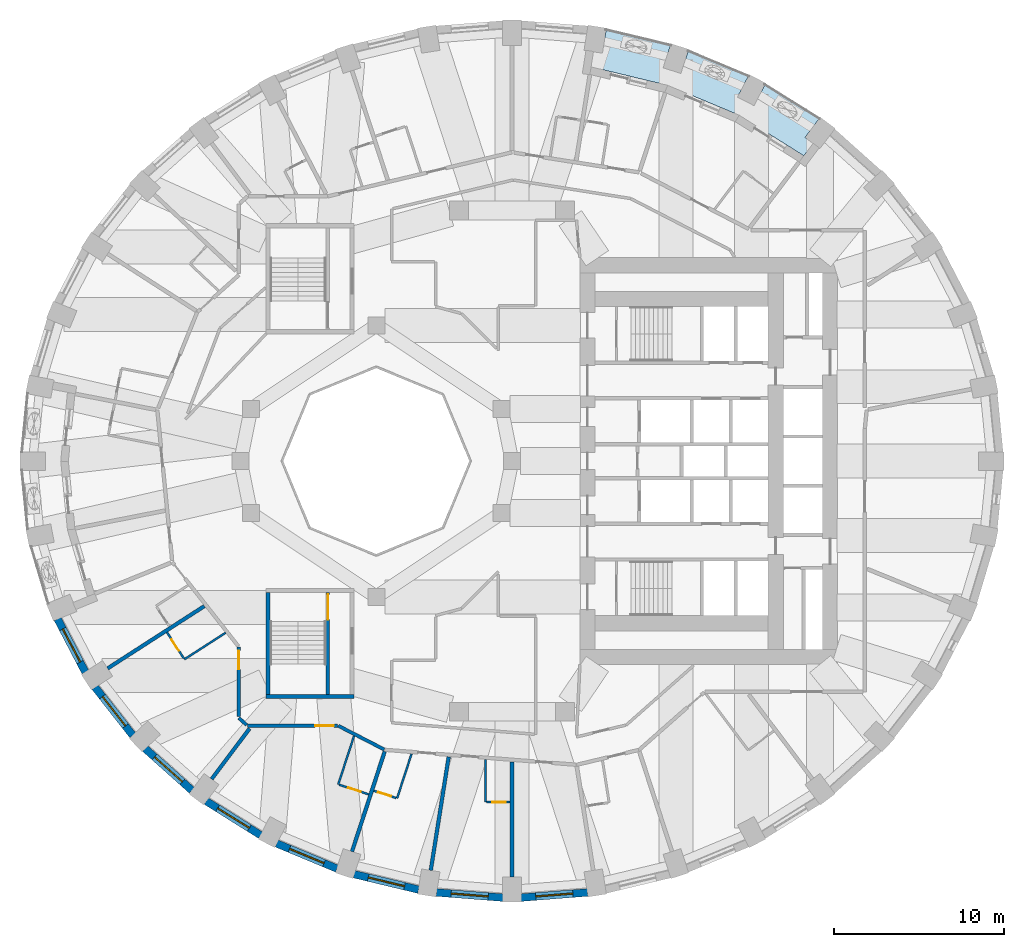
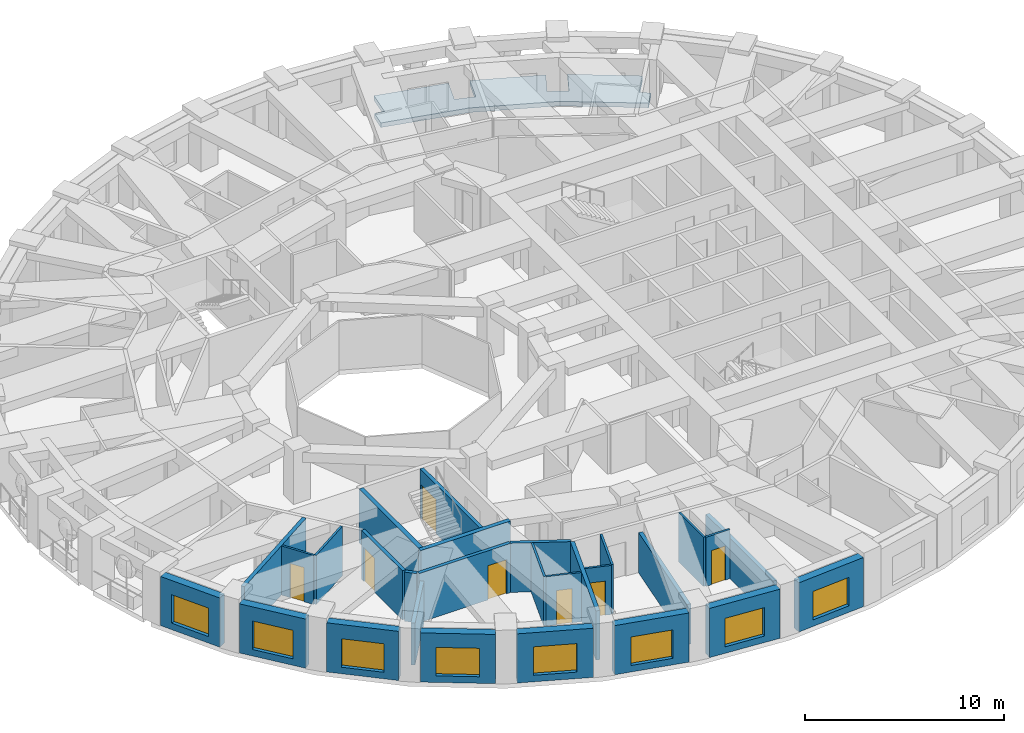
# One storey, part 3 of 13: 28 walls, 8 windows, 7 doors, 1 slab, 15 openings.
"""IFC4 building model written with IfcOpenShell, lengths in metres."""

import ifcopenshell
import ifcopenshell.guid

model = None  # the IFC model being written
_history = None  # IfcOwnerHistory: only IFC2X3 demands one
_inside = {}  # id of a spatial element -> (the spatial element, [elements in it])
_under = {}  # id of a project, library or spatial element -> (it, [spatial elements below it])
_declared = {}  # id of a project -> (the project, [libraries it declares])
_typed = {}  # id of a type object -> (the type object, [elements of that type])
_made_of = {}  # id of a material, layer set ... -> (it, [elements and type objects made of it])


def new_model(schema):
    """Start an empty IFC model of exactly this schema.

    Asked for "IFC4X3", IfcOpenShell would pick the latest addendum, in which some entities
    have other attributes; the version numbers below select the first issue.
    IFC2X3 requires an IfcOwnerHistory on every rooted entity: one is made here for all.
    """
    global model, _history
    if schema == "IFC4X3":
        model = ifcopenshell.file(schema_version=(4, 3, 0, 0))
    else:
        model = ifcopenshell.file(schema=schema)
    _inside.clear()
    _under.clear()
    _declared.clear()
    _typed.clear()
    _made_of.clear()
    _history = None
    if model.schema == "IFC2X3":
        org = make("IfcOrganization", Name="unknown")
        user = make(
            "IfcPersonAndOrganization",
            ThePerson=make("IfcPerson", FamilyName="unknown"),
            TheOrganization=org,
        )
        app = make(
            "IfcApplication",
            ApplicationDeveloper=org,
            Version="unknown",
            ApplicationFullName="unknown",
            ApplicationIdentifier="unknown",
        )
        _history = make(
            "IfcOwnerHistory",
            OwningUser=user,
            OwningApplication=app,
            ChangeAction="ADDED",
            CreationDate=0,
        )
    return model


def make(cls, **values):
    """One entity of the class cls with the attributes given. An attribute that is None is left unset."""
    return model.create_entity(
        cls, **{name: value for name, value in values.items() if value is not None}
    )


def rooted(cls, **values):
    """An entity with a GlobalId (a new one), such as an element, a storey or a relation."""
    return make(cls, GlobalId=ifcopenshell.guid.new(), OwnerHistory=_history, **values)


def si_unit(unit_type, name, prefix=None):
    """IfcSIUnit, for example si_unit("LENGTHUNIT", "METRE", prefix="MILLI")."""
    return make("IfcSIUnit", UnitType=unit_type, Prefix=prefix, Name=name)


def assignment(units):
    """IfcUnitAssignment: the units of a project."""
    return None if units is None else make("IfcUnitAssignment", Units=units)


def point(xyz):
    """IfcCartesianPoint."""
    return None if xyz is None else make("IfcCartesianPoint", Coordinates=xyz)


def direction(xyz):
    """IfcDirection."""
    return None if xyz is None else make("IfcDirection", DirectionRatios=xyz)


def frame(location, z_axis=None, x_axis=None):
    """IfcAxis2Placement3D, a coordinate frame: its origin and axes. An axis left out is left unset."""
    return make(
        "IfcAxis2Placement3D",
        Location=point(location),
        Axis=direction(z_axis),
        RefDirection=direction(x_axis),
    )


def frame_2d(location, x_axis=None):
    """IfcAxis2Placement2D, a coordinate frame in the plane: its origin and x axis."""
    return make(
        "IfcAxis2Placement2D", Location=point(location), RefDirection=direction(x_axis)
    )


def origin():
    """The frame at (0, 0, 0) with its axes left unset."""
    return frame((0.0, 0.0, 0.0))


def place(relative_to, where):
    """IfcLocalPlacement: puts the frame where relative to a parent placement (None: the world)."""
    return make(
        "IfcLocalPlacement", PlacementRelTo=relative_to, RelativePlacement=where
    )


def context(
    kind, dimensions, precision=None, world=None, true_north=None, identifier=None
):
    """IfcGeometricRepresentationContext, for example the 3D "Model" context."""
    return make(
        "IfcGeometricRepresentationContext",
        ContextIdentifier=identifier,
        ContextType=kind,
        CoordinateSpaceDimension=dimensions,
        Precision=precision,
        WorldCoordinateSystem=world,
        TrueNorth=true_north,
    )


def subcontext(parent, identifier, kind, view, scale=None):
    """IfcGeometricRepresentationSubContext, for example "Body" below "Model"."""
    return make(
        "IfcGeometricRepresentationSubContext",
        ContextIdentifier=identifier,
        ContextType=kind,
        ParentContext=parent,
        TargetScale=scale,
        TargetView=view,
    )


def project(units=None, contexts=None):
    """IfcProject with its units and contexts."""
    return rooted(
        "IfcProject",
        Name="project",
        RepresentationContexts=contexts,
        UnitsInContext=assignment(units),
    )


def spatial(cls, under=None, at=None, **own):
    """A site, building, storey or space (cls), placed at a placement, below another one or the project."""
    s = rooted(cls, ObjectPlacement=at, **own)
    if under is not None:
        _under.setdefault(under.id(), (under, []))[1].append(s)
    return s


def polyline(points):
    """IfcPolyline through the points."""
    return make("IfcPolyline", Points=[point(p) for p in points])


def profile(cls, at=None, kind="AREA", **sizes):
    """A parametric profile (cls). Its sizes go by their IFC names, for example OverallWidth=200.0."""
    return make(cls, ProfileType=kind, Position=at, **sizes)


def rectangle(**sizes):
    """IfcRectangleProfileDef."""
    return profile("IfcRectangleProfileDef", **sizes)


def outline(outer, holes=None, kind="AREA"):
    """IfcArbitraryClosedProfileDef: a profile drawn as a closed curve; with holes, ...WithVoids."""
    if holes is None:
        return make("IfcArbitraryClosedProfileDef", ProfileType=kind, OuterCurve=outer)
    return make(
        "IfcArbitraryProfileDefWithVoids",
        ProfileType=kind,
        OuterCurve=outer,
        InnerCurves=holes,
    )


def extrude(swept, where, along, depth):
    """IfcExtrudedAreaSolid: the profile swept, set in the frame where, extruded along a direction by depth."""
    return make(
        "IfcExtrudedAreaSolid",
        SweptArea=swept,
        Position=where,
        ExtrudedDirection=direction(along),
        Depth=depth,
    )


def shape(context_of_items, identifier, shape_type, items):
    """IfcShapeRepresentation: the items that make up one representation, for example the "Body"."""
    return make(
        "IfcShapeRepresentation",
        ContextOfItems=context_of_items,
        RepresentationIdentifier=identifier,
        RepresentationType=shape_type,
        Items=items,
    )


def material(Name=None, Category=None):
    """IfcMaterial."""
    return make("IfcMaterial", Name=Name, Category=Category)


def layer(
    of_material, thickness, ventilated=None, Name=None, Category=None, Priority=None
):
    """IfcMaterialLayer: one layer of a wall or slab, of a material (None: an air gap)."""
    return make(
        "IfcMaterialLayer",
        Material=of_material,
        LayerThickness=thickness,
        IsVentilated=ventilated,
        Name=Name,
        Category=Category,
        Priority=Priority,
    )


def layer_set(layers, Name=None):
    """IfcMaterialLayerSet."""
    return make("IfcMaterialLayerSet", MaterialLayers=layers, LayerSetName=Name)


def made_of(thing, what):
    """Note that an element or type object is made of a material, layer set ...; save() writes the relation."""
    if what is not None:
        _made_of.setdefault(what.id(), (what, []))[1].append(thing)
    return thing


def type_object(cls, material=None, **own):
    """A type object (cls), such as IfcWallType, which elements share."""
    return made_of(rooted(cls, **own), material)


def element(
    cls,
    number,
    at=None,
    inside=None,
    cuts=None,
    type_object=None,
    material=None,
    context=None,
    identifier="Body",
    shape_type=None,
    held_by="IfcProductDefinitionShape",
    body=None,
    shapes=None,
    **own,
):
    """One element of the class cls, such as IfcWall. Its Tag is "e" and its number.

    at: its placement. inside: the storey or other place that contains it. cuts: it is an
    opening in that element (IfcRelVoidsElement). A single representation is given by context,
    identifier, shape_type and body (its items); several are given by shapes. held_by: the class
    of the entity that holds the representations. save() writes the other relations.
    """
    e = rooted(cls, Tag="e%d" % number, ObjectPlacement=at, **own)
    if body is not None:
        shapes = [shape(context, identifier, shape_type, body)]
    if shapes is not None:
        e.Representation = make(held_by, Representations=shapes)
    if inside is not None:
        _inside.setdefault(inside.id(), (inside, []))[1].append(e)
    if cuts is not None:
        rooted(
            "IfcRelVoidsElement", RelatingBuildingElement=cuts, RelatedOpeningElement=e
        )
    if type_object is not None:
        _typed.setdefault(type_object.id(), (type_object, []))[1].append(e)
    return made_of(e, material)


def fill(opening, filler):
    """IfcRelFillsElement: the door or window that sits in an opening."""
    return rooted(
        "IfcRelFillsElement",
        RelatingOpeningElement=opening,
        RelatedBuildingElement=filler,
    )


def aggregate(whole, parts):
    """IfcRelAggregates: a whole, such as a stair, and the parts it consists of."""
    return rooted("IfcRelAggregates", RelatingObject=whole, RelatedObjects=parts)


def save(model, path):
    """Write the relations noted so far, then the file.

    IfcRelAggregates (storeys below a building ...), IfcRelContainedInSpatialStructure (elements
    in a storey), IfcRelDefinesByType, IfcRelAssociatesMaterial and IfcRelDeclares: one each for
    every whole, place, type object, material and project.
    """
    for whole, parts in _under.values():
        aggregate(whole, parts)
    for where, things in _inside.values():
        rooted(
            "IfcRelContainedInSpatialStructure",
            RelatedElements=things,
            RelatingStructure=where,
        )
    for kind, things in _typed.values():
        rooted("IfcRelDefinesByType", RelatedObjects=things, RelatingType=kind)
    for what, things in _made_of.values():
        rooted("IfcRelAssociatesMaterial", RelatedObjects=things, RelatingMaterial=what)
    for by, libraries in _declared.values():
        rooted("IfcRelDeclares", RelatingContext=by, RelatedDefinitions=libraries)
    model.write(path)


model = new_model("IFC4")

# Units and contexts
model_context = context("Model", 3, precision=1e-05, world=origin(), true_north=direction((0.0, 1.0)))
body_context = subcontext(model_context, "Body", "Model", "MODEL_VIEW")
ifc_project = project(units=[si_unit("LENGTHUNIT", "METRE"), si_unit("AREAUNIT", "SQUARE_METRE"), si_unit("VOLUMEUNIT", "CUBIC_METRE"), si_unit("PLANEANGLEUNIT", "RADIAN"), si_unit("MASSUNIT", "GRAM", prefix="KILO")], contexts=[model_context])

# Site, building, storey
site_placement = place(None, origin())
site = spatial("IfcSite", under=ifc_project, at=site_placement, CompositionType="ELEMENT")
building_placement = place(site_placement, origin())
building = spatial("IfcBuilding", under=site, at=building_placement, Name="Taillehof Tower", CompositionType="ELEMENT")
storey_placement = place(building_placement, frame((0.0, 0.0, 61.300048828125)))
storey = spatial("IfcBuildingStorey", under=building, at=storey_placement, Name="L16", CompositionType="ELEMENT", Elevation=61.300048828125)

# Slab
ifc_material_1 = material(Name="Concrete C40/50", Category="concrete")
ifc_layer_1 = layer(ifc_material_1, 0.280029296875)
ifc_layer_set_1 = layer_set([ifc_layer_1], Name="Balcony slab 280")
slab_type = type_object("IfcSlabType", Name="Balcony slab 280", PredefinedType="USERDEFINED", material=ifc_layer_set_1)
slab_placement = place(storey_placement, frame((0.0, 0.0, -0.280029296875)))
element("IfcSlab", 1, at=slab_placement, inside=storey, type_object=slab_type, Name="Balcony L16 pocket 1", ObjectType="BALCONY", PredefinedType="USERDEFINED", context=body_context, shape_type="SweptSolid", body=[
    extrude(outline(polyline([(4.6611328125, 23.234375), (4.801513671875, 24.12353515625), (5.331787109375, 24.039794921875), (5.559326171875, 25.479248046875), (9.357421875, 24.56689453125), (8.906494140625, 23.184814453125), (9.9521484375, 22.843505859375), (10.404296875, 24.22900390625), (13.958984375, 22.742919921875), (13.291748046875, 21.453857421875), (14.2685546875, 20.9482421875), (14.938232421875, 22.24169921875), (18.139404296875, 20.23193359375), (17.268310546875, 19.073974609375), (17.73974609375, 18.71923828125), (17.197998046875, 17.999267578125), (13.396728515625, 20.38525390625), (9.174072265625, 22.150390625), (4.6611328125, 23.234375)])), origin(), (0.0, 0.0, 1.0), 0.280029296875),
])

# Wall, opening, window
ifc_material_2 = material(Name="Brick masonry", Category="masonry")
ifc_layer_2 = layer(ifc_material_2, 0.449951171875)
ifc_layer_set_2 = layer_set([ifc_layer_2], Name="Brick infill wall 450")
wall_type_1 = type_object("IfcWallType", Name="Brick infill wall 450", PredefinedType="SOLIDWALL", material=ifc_layer_set_2)
wall_1_placement = place(storey_placement, frame((-26.78564453125, -9.30517578125, 0.0), z_axis=(0.0, 0.0, 1.0), x_axis=(0.462492775226, -0.886623050041, 0.0)))
wall_1 = element("IfcWall", 2, at=wall_1_placement, inside=storey, type_object=wall_type_1, Name="Brick wall L16 bay 21", PredefinedType="SOLIDWALL", context=body_context, shape_type="SweptSolid", body=[
    extrude(rectangle(XDim=3.531982421875, YDim=0.449951171875, at=frame_2d((1.76611328125, 0.0))), origin(), (0.0, 0.0, 1.0), 3.02001953125),
])
opening_1_placement = place(wall_1_placement, frame((0.666015625, 0.0, 0.39990234375)))
opening_1 = element("IfcOpeningElement", 3, at=opening_1_placement, cuts=wall_1, Name="Opening W1", PredefinedType="OPENING", context=body_context, shape_type="SweptSolid", body=[
    extrude(rectangle(XDim=2.199951171875, YDim=1.75, at=frame_2d((1.10009765625, 0.875))), frame((0.0, 0.23486328125, 0.0), z_axis=(0.0, -1.0, 0.0), x_axis=(1.0, 0.0, 0.0)), (0.0, 0.0, 1.0), 0.469970703125),
])
ifc_material_3 = material(Name="Aluminium window frame with clear double glazing", Category="aluminium")
window_type = type_object("IfcWindowType", Name="Deep-set window 2200x1750", PartitioningType="SINGLE_PANEL", PredefinedType="WINDOW", material=ifc_material_3)
window_1_placement = place(opening_1_placement, origin())
window_1 = element("IfcWindow", 4, at=window_1_placement, inside=storey, type_object=window_type, Name="W1", OverallHeight=1.75, OverallWidth=2.199951171875, PartitioningType="SINGLE_PANEL", PredefinedType="WINDOW", context=body_context, shape_type="SweptSolid", body=[
    extrude(rectangle(XDim=2.199951171875, YDim=1.75, at=frame_2d((1.10009765625, 0.875))), frame((0.0, 0.034912109375, 0.0), z_axis=(0.0, -1.0, 0.0), x_axis=(1.0, 0.0, 0.0)), (0.0, 0.0, 1.0), 0.06005859375),
])
fill(opening_1, window_1)

wall_2_placement = place(storey_placement, frame((-24.57763671875, -13.327880859375, 0.0), z_axis=(0.0, 0.0, 1.0), x_axis=(0.616661975264, -0.787228053529, 0.0)))
wall_2 = element("IfcWall", 5, at=wall_2_placement, inside=storey, type_object=wall_type_1, Name="Brick wall L16 bay 22", PredefinedType="SOLIDWALL", context=body_context, shape_type="SweptSolid", body=[
    extrude(rectangle(XDim=3.60986328125, YDim=0.449951171875, at=frame_2d((1.804931640625, 0.0))), origin(), (0.0, 0.0, 1.0), 3.02001953125),
])
opening_2_placement = place(wall_2_placement, frame((0.704833984375, 0.0, 0.39990234375)))
opening_2 = element("IfcOpeningElement", 6, at=opening_2_placement, cuts=wall_2, Name="Opening W1", PredefinedType="OPENING", context=body_context, shape_type="SweptSolid", body=[
    extrude(rectangle(XDim=2.199951171875, YDim=1.75, at=frame_2d((1.10009765625, 0.875))), frame((0.0, 0.23486328125, 0.0), z_axis=(0.0, -1.0, 0.0), x_axis=(1.0, 0.0, 0.0)), (0.0, 0.0, 1.0), 0.469970703125),
])
window_2_placement = place(opening_2_placement, origin())
window_2 = element("IfcWindow", 7, at=window_2_placement, inside=storey, type_object=window_type, Name="W1", OverallHeight=1.75, OverallWidth=2.199951171875, PartitioningType="SINGLE_PANEL", PredefinedType="WINDOW", context=body_context, shape_type="SweptSolid", body=[
    extrude(rectangle(XDim=2.199951171875, YDim=1.75, at=frame_2d((1.10009765625, 0.875))), frame((0.0, 0.034912109375, 0.0), z_axis=(0.0, -1.0, 0.0), x_axis=(1.0, 0.0, 0.0)), (0.0, 0.0, 1.0), 0.06005859375),
])
fill(opening_2, window_2)

wall_3_placement = place(storey_placement, frame((-21.626708984375, -16.943115234375, 0.0), z_axis=(0.0, 0.0, 1.0), x_axis=(0.745526233716, -0.66647628228, 0.0)))
wall_3 = element("IfcWall", 8, at=wall_3_placement, inside=storey, type_object=wall_type_1, Name="Brick wall L16 bay 23", PredefinedType="SOLIDWALL", context=body_context, shape_type="SweptSolid", body=[
    extrude(rectangle(XDim=3.69677734375, YDim=0.449951171875, at=frame_2d((1.848388671875, 0.0))), origin(), (0.0, 0.0, 1.0), 3.02001953125),
])
opening_3_placement = place(wall_3_placement, frame((0.74853515625, 0.0, 0.39990234375)))
opening_3 = element("IfcOpeningElement", 9, at=opening_3_placement, cuts=wall_3, Name="Opening W1", PredefinedType="OPENING", context=body_context, shape_type="SweptSolid", body=[
    extrude(rectangle(XDim=2.199951171875, YDim=1.75, at=frame_2d((1.10009765625, 0.875))), frame((0.0, 0.23486328125, 0.0), z_axis=(0.0, -1.0, 0.0), x_axis=(1.0, 0.0, 0.0)), (0.0, 0.0, 1.0), 0.469970703125),
])
window_3_placement = place(opening_3_placement, origin())
window_3 = element("IfcWindow", 10, at=window_3_placement, inside=storey, type_object=window_type, Name="W1", OverallHeight=1.75, OverallWidth=2.199951171875, PartitioningType="SINGLE_PANEL", PredefinedType="WINDOW", context=body_context, shape_type="SweptSolid", body=[
    extrude(rectangle(XDim=2.199951171875, YDim=1.75, at=frame_2d((1.10009765625, 0.875))), frame((0.0, 0.034912109375, 0.0), z_axis=(0.0, -1.0, 0.0), x_axis=(1.0, 0.0, 0.0)), (0.0, 0.0, 1.0), 0.06005859375),
])
fill(opening_3, window_3)

wall_4_placement = place(storey_placement, frame((-18.02294921875, -20.043701171875, 0.0), z_axis=(0.0, 0.0, 1.0), x_axis=(0.847635480093, -0.530579016629, 0.0)))
wall_4 = element("IfcWall", 11, at=wall_4_placement, inside=storey, type_object=wall_type_1, Name="Brick wall L16 bay 24", PredefinedType="SOLIDWALL", context=body_context, shape_type="SweptSolid", body=[
    extrude(rectangle(XDim=3.782470703125, YDim=0.449951171875, at=frame_2d((1.89111328125, 0.0))), origin(), (0.0, 0.0, 1.0), 3.02001953125),
])
opening_4_placement = place(wall_4_placement, frame((0.791259765625, 0.0, 0.39990234375)))
opening_4 = element("IfcOpeningElement", 12, at=opening_4_placement, cuts=wall_4, Name="Opening W1", PredefinedType="OPENING", context=body_context, shape_type="SweptSolid", body=[
    extrude(rectangle(XDim=2.199951171875, YDim=1.75, at=frame_2d((1.10009765625, 0.875))), frame((0.0, 0.23486328125, 0.0), z_axis=(0.0, -1.0, 0.0), x_axis=(1.0, 0.0, 0.0)), (0.0, 0.0, 1.0), 0.469970703125),
])
window_4_placement = place(opening_4_placement, origin())
window_4 = element("IfcWindow", 13, at=window_4_placement, inside=storey, type_object=window_type, Name="W1", OverallHeight=1.75, OverallWidth=2.199951171875, PartitioningType="SINGLE_PANEL", PredefinedType="WINDOW", context=body_context, shape_type="SweptSolid", body=[
    extrude(rectangle(XDim=2.199951171875, YDim=1.75, at=frame_2d((1.10009765625, 0.875))), frame((0.0, 0.034912109375, 0.0), z_axis=(0.0, -1.0, 0.0), x_axis=(1.0, 0.0, 0.0)), (0.0, 0.0, 1.0), 0.06005859375),
])
fill(opening_4, window_4)

wall_5_placement = place(storey_placement, frame((-13.875, -22.537353515625, 0.0), z_axis=(0.0, 0.0, 1.0), x_axis=(0.923031964282, -0.384723267966, 0.0)))
wall_5 = element("IfcWall", 14, at=wall_5_placement, inside=storey, type_object=wall_type_1, Name="Brick wall L16 bay 25", PredefinedType="SOLIDWALL", context=body_context, shape_type="SweptSolid", body=[
    extrude(rectangle(XDim=3.8564453125, YDim=0.449951171875, at=frame_2d((1.92822265625, 0.0))), origin(), (0.0, 0.0, 1.0), 3.02001953125),
])
opening_5_placement = place(wall_5_placement, frame((0.828125, 0.0, 0.39990234375)))
opening_5 = element("IfcOpeningElement", 15, at=opening_5_placement, cuts=wall_5, Name="Opening W1", PredefinedType="OPENING", context=body_context, shape_type="SweptSolid", body=[
    extrude(rectangle(XDim=2.199951171875, YDim=1.75, at=frame_2d((1.10009765625, 0.875))), frame((0.0, 0.23486328125, 0.0), z_axis=(0.0, -1.0, 0.0), x_axis=(1.0, 0.0, 0.0)), (0.0, 0.0, 1.0), 0.469970703125),
])
window_5_placement = place(opening_5_placement, origin())
window_5 = element("IfcWindow", 16, at=window_5_placement, inside=storey, type_object=window_type, Name="W1", OverallHeight=1.75, OverallWidth=2.199951171875, PartitioningType="SINGLE_PANEL", PredefinedType="WINDOW", context=body_context, shape_type="SweptSolid", body=[
    extrude(rectangle(XDim=2.199951171875, YDim=1.75, at=frame_2d((1.10009765625, 0.875))), frame((0.0, 0.034912109375, 0.0), z_axis=(0.0, -1.0, 0.0), x_axis=(1.0, 0.0, 0.0)), (0.0, 0.0, 1.0), 0.06005859375),
])
fill(opening_5, window_5)

wall_6_placement = place(storey_placement, frame((-9.3076171875, -24.349609375, 0.0), z_axis=(0.0, 0.0, 1.0), x_axis=(0.972496561493, -0.232917233979, 0.0)))
wall_6 = element("IfcWall", 17, at=wall_6_placement, inside=storey, type_object=wall_type_1, Name="Brick wall L16 bay 26", PredefinedType="SOLIDWALL", context=body_context, shape_type="SweptSolid", body=[
    extrude(rectangle(XDim=3.910888671875, YDim=0.449951171875, at=frame_2d((1.95556640625, 0.0))), origin(), (0.0, 0.0, 1.0), 3.02001953125),
])
opening_6_placement = place(wall_6_placement, frame((0.855224609375, 0.0, 0.39990234375)))
opening_6 = element("IfcOpeningElement", 18, at=opening_6_placement, cuts=wall_6, Name="Opening W1", PredefinedType="OPENING", context=body_context, shape_type="SweptSolid", body=[
    extrude(rectangle(XDim=2.199951171875, YDim=1.75, at=frame_2d((1.10009765625, 0.875))), frame((0.0, 0.23486328125, 0.0), z_axis=(0.0, -1.0, 0.0), x_axis=(1.0, 0.0, 0.0)), (0.0, 0.0, 1.0), 0.469970703125),
])
window_6_placement = place(opening_6_placement, origin())
window_6 = element("IfcWindow", 19, at=window_6_placement, inside=storey, type_object=window_type, Name="W1", OverallHeight=1.75, OverallWidth=2.199951171875, PartitioningType="SINGLE_PANEL", PredefinedType="WINDOW", context=body_context, shape_type="SweptSolid", body=[
    extrude(rectangle(XDim=2.199951171875, YDim=1.75, at=frame_2d((1.10009765625, 0.875))), frame((0.0, 0.034912109375, 0.0), z_axis=(0.0, -1.0, 0.0), x_axis=(1.0, 0.0, 0.0)), (0.0, 0.0, 1.0), 0.06005859375),
])
fill(opening_6, window_6)

wall_7_placement = place(storey_placement, frame((-4.457275390625, -25.42578125, 0.0), z_axis=(0.0, 0.0, 1.0), x_axis=(0.996955972145, -0.077966592873, 0.0)))
wall_7 = element("IfcWall", 20, at=wall_7_placement, inside=storey, type_object=wall_type_1, Name="Brick wall L16 bay 27", PredefinedType="SOLIDWALL", context=body_context, shape_type="SweptSolid", body=[
    extrude(rectangle(XDim=3.939208984375, YDim=0.449951171875, at=frame_2d((1.9697265625, 0.0))), origin(), (0.0, 0.0, 1.0), 3.02001953125),
])
opening_7_placement = place(wall_7_placement, frame((0.86962890625, 0.0, 0.39990234375)))
opening_7 = element("IfcOpeningElement", 21, at=opening_7_placement, cuts=wall_7, Name="Opening W1", PredefinedType="OPENING", context=body_context, shape_type="SweptSolid", body=[
    extrude(rectangle(XDim=2.199951171875, YDim=1.75, at=frame_2d((1.10009765625, 0.875))), frame((0.0, 0.23486328125, 0.0), z_axis=(0.0, -1.0, 0.0), x_axis=(1.0, 0.0, 0.0)), (0.0, 0.0, 1.0), 0.469970703125),
])
window_7_placement = place(opening_7_placement, origin())
window_7 = element("IfcWindow", 22, at=window_7_placement, inside=storey, type_object=window_type, Name="W1", OverallHeight=1.75, OverallWidth=2.199951171875, PartitioningType="SINGLE_PANEL", PredefinedType="WINDOW", context=body_context, shape_type="SweptSolid", body=[
    extrude(rectangle(XDim=2.199951171875, YDim=1.75, at=frame_2d((1.10009765625, 0.875))), frame((0.0, 0.034912109375, 0.0), z_axis=(0.0, -1.0, 0.0), x_axis=(1.0, 0.0, 0.0)), (0.0, 0.0, 1.0), 0.06005859375),
])
fill(opening_7, window_7)

wall_8_placement = place(storey_placement, frame((0.530029296875, -25.73291015625, 0.0), z_axis=(0.0, 0.0, 1.0), x_axis=(0.996955972145, 0.077966592873, 0.0)))
wall_8 = element("IfcWall", 23, at=wall_8_placement, inside=storey, type_object=wall_type_1, Name="Brick wall L16 bay 28", PredefinedType="SOLIDWALL", context=body_context, shape_type="SweptSolid", body=[
    extrude(rectangle(XDim=3.939208984375, YDim=0.449951171875, at=frame_2d((1.9697265625, 0.0))), origin(), (0.0, 0.0, 1.0), 3.02001953125),
])
opening_8_placement = place(wall_8_placement, frame((0.86962890625, 0.0, 0.39990234375)))
opening_8 = element("IfcOpeningElement", 24, at=opening_8_placement, cuts=wall_8, Name="Opening W1", PredefinedType="OPENING", context=body_context, shape_type="SweptSolid", body=[
    extrude(rectangle(XDim=2.199951171875, YDim=1.75, at=frame_2d((1.10009765625, 0.875))), frame((0.0, 0.23486328125, 0.0), z_axis=(0.0, -1.0, 0.0), x_axis=(1.0, 0.0, 0.0)), (0.0, 0.0, 1.0), 0.469970703125),
])
window_8_placement = place(opening_8_placement, origin())
window_8 = element("IfcWindow", 25, at=window_8_placement, inside=storey, type_object=window_type, Name="W1", OverallHeight=1.75, OverallWidth=2.199951171875, PartitioningType="SINGLE_PANEL", PredefinedType="WINDOW", context=body_context, shape_type="SweptSolid", body=[
    extrude(rectangle(XDim=2.199951171875, YDim=1.75, at=frame_2d((1.10009765625, 0.875))), frame((0.0, 0.034912109375, 0.0), z_axis=(0.0, -1.0, 0.0), x_axis=(1.0, 0.0, 0.0)), (0.0, 0.0, 1.0), 0.06005859375),
])
fill(opening_8, window_8)

# Wall
ifc_material_4 = material(Name="Gypsum board on steel studs, two layers each side", Category="steel")
ifc_layer_3 = layer(ifc_material_4, 0.199951171875)
ifc_layer_set_3 = layer_set([ifc_layer_3], Name="Compartment wall corridor 200")
wall_type_2 = type_object("IfcWallType", Name="Compartment wall corridor 200", PredefinedType="PARTITIONING", material=ifc_layer_set_3)
wall_9_placement = place(storey_placement, frame((-7.534423828125, -16.998291015625, 0.0), z_axis=(0.0, 0.0, 1.0), x_axis=(-0.888535328052, 0.458808206992, 0.0)))
element("IfcWall", 26, at=wall_9_placement, inside=storey, type_object=wall_type_2, Name="Compartment wall", PredefinedType="PARTITIONING", context=body_context, shape_type="SweptSolid", body=[
    extrude(rectangle(XDim=3.04736328125, YDim=0.199951171875, at=frame_2d((1.523681640625, 0.0))), origin(), (0.0, 0.0, 1.0), 3.02001953125),
])

# Wall, opening, door
wall_10_placement = place(storey_placement, frame((-10.2822265625, -15.60009765625, 0.0), z_axis=(0.0, 0.0, 1.0), x_axis=(-1.0, 0.0, 0.0)))
wall_10 = element("IfcWall", 27, at=wall_10_placement, inside=storey, type_object=wall_type_2, Name="Compartment wall", PredefinedType="PARTITIONING", context=body_context, shape_type="SweptSolid", body=[
    extrude(rectangle(XDim=5.309326171875, YDim=0.199951171875, at=frame_2d((2.65478515625, 0.0))), origin(), (0.0, 0.0, 1.0), 3.02001953125),
])
opening_9_placement = place(wall_10_placement, frame((0.219970703125, 0.0, 0.0)))
opening_9 = element("IfcOpeningElement", 28, at=opening_9_placement, cuts=wall_10, Name="Opening D1664", PredefinedType="OPENING", context=body_context, shape_type="SweptSolid", body=[
    extrude(rectangle(XDim=1.10009765625, YDim=2.10009765625, at=frame_2d((0.550048828125, 1.050048828125))), frame((0.0, 0.10986328125, 0.0), z_axis=(0.0, -1.0, 0.0), x_axis=(1.0, 0.0, 0.0)), (0.0, 0.0, 1.0), 0.219970703125),
])
ifc_material_5 = material(Name="Timber door leaf in steel frame", Category="steel")
door_type_1 = type_object("IfcDoorType", Name="Suite entrance door EI 30 1100 x 2100", OperationType="SINGLE_SWING_LEFT", PredefinedType="DOOR", material=ifc_material_5)
door_1_placement = place(opening_9_placement, origin())
door_1 = element("IfcDoor", 29, at=door_1_placement, inside=storey, type_object=door_type_1, Name="D1664", OperationType="SINGLE_SWING_LEFT", OverallHeight=2.10009765625, OverallWidth=1.10009765625, PredefinedType="DOOR", context=body_context, shape_type="SweptSolid", body=[
    extrude(rectangle(XDim=1.10009765625, YDim=2.10009765625, at=frame_2d((0.550048828125, 1.050048828125))), frame((0.0, 0.02490234375, 0.0), z_axis=(0.0, -1.0, 0.0), x_axis=(1.0, 0.0, 0.0)), (0.0, 0.0, 1.0), 0.050048828125),
])
fill(opening_9, door_1)

# Wall
wall_11_placement = place(storey_placement, frame((-15.63623046875, -15.559814453125, 0.0), z_axis=(0.0, 0.0, 1.0), x_axis=(-0.744656758283, 0.667447610187, 0.0)))
element("IfcWall", 30, at=wall_11_placement, inside=storey, type_object=wall_type_2, Name="Compartment wall", PredefinedType="PARTITIONING", context=body_context, shape_type="SweptSolid", body=[
    extrude(rectangle(XDim=0.623046875, YDim=0.199951171875, at=frame_2d((0.3115234375, 0.0))), origin(), (0.0, 0.0, 1.0), 3.02001953125),
])

# Wall, opening, door
wall_12_placement = place(storey_placement, frame((-16.10009765625, -15.06396484375, 0.0), z_axis=(0.0, 0.0, 1.0), x_axis=(0.0, 1.0, 0.0)))
wall_12 = element("IfcWall", 31, at=wall_12_placement, inside=storey, type_object=wall_type_2, Name="Compartment wall", PredefinedType="PARTITIONING", context=body_context, shape_type="SweptSolid", body=[
    extrude(rectangle(XDim=4.113037109375, YDim=0.199951171875, at=frame_2d((2.056640625, 0.0))), origin(), (0.0, 0.0, 1.0), 3.02001953125),
])
opening_10_placement = place(wall_12_placement, frame((2.79296875, 0.0, 0.0)))
opening_10 = element("IfcOpeningElement", 32, at=opening_10_placement, cuts=wall_12, Name="Opening D1662", PredefinedType="OPENING", context=body_context, shape_type="SweptSolid", body=[
    extrude(rectangle(XDim=1.10009765625, YDim=2.10009765625, at=frame_2d((0.550048828125, 1.050048828125))), frame((0.0, 0.10986328125, 0.0), z_axis=(0.0, -1.0, 0.0), x_axis=(1.0, 0.0, 0.0)), (0.0, 0.0, 1.0), 0.219970703125),
])
door_2_placement = place(opening_10_placement, origin())
door_2 = element("IfcDoor", 33, at=door_2_placement, inside=storey, type_object=door_type_1, Name="D1662", OperationType="SINGLE_SWING_RIGHT", OverallHeight=2.10009765625, OverallWidth=1.10009765625, PredefinedType="DOOR", context=body_context, shape_type="SweptSolid", body=[
    extrude(rectangle(XDim=1.10009765625, YDim=2.10009765625, at=frame_2d((0.550048828125, 1.050048828125))), frame((0.0, 0.02490234375, 0.0), z_axis=(0.0, -1.0, 0.0), x_axis=(1.0, 0.0, 0.0)), (0.0, 0.0, 1.0), 0.050048828125),
])
fill(opening_10, door_2)

# Walls
ifc_material_6 = material(Name="Gypsum board on double steel studs with mineral wool", Category="steel")
ifc_layer_4 = layer(ifc_material_6, 0.219970703125)
ifc_layer_set_4 = layer_set([ifc_layer_4], Name="Compartment wall guest room 220")
wall_type_3 = type_object("IfcWallType", Name="Compartment wall guest room 220", PredefinedType="PARTITIONING", material=ifc_layer_set_4)
wall_13_placement = place(storey_placement, frame((-23.834716796875, -12.218994140625, 0.0), z_axis=(0.0, 0.0, 1.0), x_axis=(0.840749666863, 0.541424046076, 0.0)))
element("IfcWall", 34, at=wall_13_placement, inside=storey, type_object=wall_type_3, Name="Compartment wall", PredefinedType="PARTITIONING", context=body_context, shape_type="SweptSolid", body=[
    extrude(rectangle(XDim=6.774658203125, YDim=0.219970703125, at=frame_2d((3.38720703125, 0.0))), origin(), (0.0, 0.0, 1.0), 3.02001953125),
])
wall_14_placement = place(storey_placement, frame((-17.707763671875, -18.7431640625, 0.0), z_axis=(0.0, 0.0, 1.0), x_axis=(0.601172757903, 0.799119086967, 0.0)))
element("IfcWall", 35, at=wall_14_placement, inside=storey, type_object=wall_type_3, Name="Compartment wall", PredefinedType="PARTITIONING", context=body_context, shape_type="SweptSolid", body=[
    extrude(rectangle(XDim=3.728515625, YDim=0.219970703125, at=frame_2d((1.8642578125, 0.0))), origin(), (0.0, 0.0, 1.0), 2.570068359375),
])
wall_15_placement = place(storey_placement, frame((-9.429443359375, -23.01416015625, 0.0), z_axis=(0.0, 0.0, 1.0), x_axis=(0.310235573501, 0.950659712481, 0.0)))
element("IfcWall", 36, at=wall_15_placement, inside=storey, type_object=wall_type_3, Name="Compartment wall", PredefinedType="PARTITIONING", context=body_context, shape_type="SweptSolid", body=[
    extrude(rectangle(XDim=6.20361328125, YDim=0.219970703125, at=frame_2d((3.101806640625, 0.0))), origin(), (0.0, 0.0, 1.0), 3.02001953125),
])
for number, where, z_axis, x_axis, name in (
    (37, (-4.788330078125, -24.12548828125, 0.0), (0.0, 0.0, 1.0), (0.156127209873, 0.987736956045, 0.0), "Compartment wall"),
    (38, (0.0, -24.5, 0.0), (0.0, 0.0, 1.0), (0.0, 1.0, 0.0), "Compartment wall"),
):
    element("IfcWall", number, at=place(storey_placement, frame(where, z_axis=z_axis, x_axis=x_axis)), inside=storey, type_object=wall_type_3, Name=name, PredefinedType="PARTITIONING", context=body_context, shape_type="SweptSolid", body=[
        extrude(rectangle(XDim=6.777099609375, YDim=0.219970703125, at=frame_2d((3.388671875, 0.0))), origin(), (0.0, 0.0, 1.0), 2.469970703125),
    ])
ifc_material_7 = material(Name="Gypsum board on steel studs, moisture resistant", Category="steel")
ifc_layer_5 = layer(ifc_material_7, 0.1201171875)
ifc_layer_set_5 = layer_set([ifc_layer_5], Name="En-suite wall 120")
wall_type_4 = type_object("IfcWallType", Name="En-suite wall 120", PredefinedType="PARTITIONING", material=ifc_layer_set_5)
wall_16_placement = place(storey_placement, frame((-16.880615234375, -10.11962890625, 0.0), z_axis=(0.0, 0.0, 1.0), x_axis=(-0.840749755927, -0.541423907773, 0.0)))
element("IfcWall", 39, at=wall_16_placement, inside=storey, type_object=wall_type_4, Name="En-suite wall", PredefinedType="PARTITIONING", context=body_context, shape_type="SweptSolid", body=[
    extrude(rectangle(XDim=2.88818359375, YDim=0.1201171875, at=frame_2d((1.444091796875, 0.0))), origin(), (0.0, 0.0, 1.0), 3.02001953125),
])
wall_17_placement = place(storey_placement, frame((-9.30810546875, -16.195068359375, 0.0), z_axis=(0.0, 0.0, 1.0), x_axis=(-0.310170219214, -0.950681037527, 0.0)))
element("IfcWall", 40, at=wall_17_placement, inside=storey, type_object=wall_type_4, Name="En-suite wall", PredefinedType="PARTITIONING", context=body_context, shape_type="SweptSolid", body=[
    extrude(rectangle(XDim=3.013916015625, YDim=0.1201171875, at=frame_2d((1.5068359375, 0.0))), origin(), (0.0, 0.0, 1.0), 3.02001953125),
])
wall_18_placement = place(storey_placement, frame((-5.921142578125, -17.259765625, 0.0), z_axis=(0.0, 0.0, 1.0), x_axis=(-0.310180943487, -0.950677538547, 0.0)))
element("IfcWall", 41, at=wall_18_placement, inside=storey, type_object=wall_type_4, Name="En-suite wall", PredefinedType="PARTITIONING", context=body_context, shape_type="SweptSolid", body=[
    extrude(rectangle(XDim=2.75244140625, YDim=0.1201171875, at=frame_2d((1.376220703125, 0.0))), origin(), (0.0, 0.0, 1.0), 3.02001953125),
])
wall_19_placement = place(storey_placement, frame((-1.550048828125, -17.581787109375, 0.0), z_axis=(0.0, 0.0, 1.0), x_axis=(0.0, -1.0, 0.0)))
element("IfcWall", 42, at=wall_19_placement, inside=storey, type_object=wall_type_4, Name="En-suite wall", PredefinedType="PARTITIONING", context=body_context, shape_type="SweptSolid", body=[
    extrude(rectangle(XDim=2.520751953125, YDim=0.1201171875, at=frame_2d((1.26025390625, 0.0))), origin(), (0.0, 0.0, 1.0), 3.02001953125),
])

# Wall, opening, door
wall_20_placement = place(storey_placement, frame((-19.34130859375, -11.6328125, 0.0), z_axis=(0.0, 0.0, 1.0), x_axis=(-0.541391271501, 0.840770772055, 0.0)))
wall_20 = element("IfcWall", 43, at=wall_20_placement, inside=storey, type_object=wall_type_4, Name="En-suite wall", PredefinedType="PARTITIONING", context=body_context, shape_type="SweptSolid", body=[
    extrude(rectangle(XDim=1.830078125, YDim=0.1201171875, at=frame_2d((0.9150390625, 0.0))), origin(), (0.0, 0.0, 1.0), 3.02001953125),
])
opening_11_placement = place(wall_20_placement, frame((0.5400390625, 0.0, 0.0)))
opening_11 = element("IfcOpeningElement", 44, at=opening_11_placement, cuts=wall_20, Name="Opening D1663", PredefinedType="OPENING", context=body_context, shape_type="SweptSolid", body=[
    extrude(rectangle(XDim=0.800048828125, YDim=2.10009765625, at=frame_2d((0.39990234375, 1.050048828125))), frame((0.0, 0.070068359375, 0.0), z_axis=(0.0, -1.0, 0.0), x_axis=(1.0, 0.0, 0.0)), (0.0, 0.0, 1.0), 0.14013671875),
])
ifc_material_8 = material(Name="Timber door leaf in steel frame", Category="steel")
door_type_2 = type_object("IfcDoorType", Name="En-suite door 800 x 2100", OperationType="SINGLE_SWING_LEFT", PredefinedType="DOOR", material=ifc_material_8)
door_3_placement = place(opening_11_placement, origin())
door_3 = element("IfcDoor", 45, at=door_3_placement, inside=storey, type_object=door_type_2, Name="D1663", OperationType="SINGLE_SWING_RIGHT", OverallHeight=2.10009765625, OverallWidth=0.800048828125, PredefinedType="DOOR", context=body_context, shape_type="SweptSolid", body=[
    extrude(rectangle(XDim=0.800048828125, YDim=2.10009765625, at=frame_2d((0.39990234375, 1.050048828125))), frame((0.0, 0.02490234375, 0.0), z_axis=(0.0, -1.0, 0.0), x_axis=(1.0, 0.0, 0.0)), (0.0, 0.0, 1.0), 0.050048828125),
])
fill(opening_11, door_3)

wall_21_placement = place(storey_placement, frame((-10.185791015625, -19.078857421875, 0.0), z_axis=(0.0, 0.0, 1.0), x_axis=(0.950678536911, -0.31017788357, 0.0)))
wall_21 = element("IfcWall", 46, at=wall_21_placement, inside=storey, type_object=wall_type_4, Name="En-suite wall", PredefinedType="PARTITIONING", context=body_context, shape_type="SweptSolid", body=[
    extrude(rectangle(XDim=1.830078125, YDim=0.1201171875, at=frame_2d((0.9150390625, 0.0))), origin(), (0.0, 0.0, 1.0), 3.02001953125),
])
opening_12_placement = place(wall_21_placement, frame((0.539794921875, 0.0, 0.0)))
opening_12 = element("IfcOpeningElement", 47, at=opening_12_placement, cuts=wall_21, Name="Opening D1665", PredefinedType="OPENING", context=body_context, shape_type="SweptSolid", body=[
    extrude(rectangle(XDim=0.800048828125, YDim=2.10009765625, at=frame_2d((0.39990234375, 1.050048828125))), frame((0.0, 0.070068359375, 0.0), z_axis=(0.0, -1.0, 0.0), x_axis=(1.0, 0.0, 0.0)), (0.0, 0.0, 1.0), 0.14013671875),
])
door_4_placement = place(opening_12_placement, origin())
door_4 = element("IfcDoor", 48, at=door_4_placement, inside=storey, type_object=door_type_2, Name="D1665", OperationType="SINGLE_SWING_LEFT", OverallHeight=2.10009765625, OverallWidth=0.800048828125, PredefinedType="DOOR", context=body_context, shape_type="SweptSolid", body=[
    extrude(rectangle(XDim=0.800048828125, YDim=2.10009765625, at=frame_2d((0.39990234375, 1.050048828125))), frame((0.0, 0.02490234375, 0.0), z_axis=(0.0, -1.0, 0.0), x_axis=(1.0, 0.0, 0.0)), (0.0, 0.0, 1.0), 0.050048828125),
])
fill(opening_12, door_4)

wall_22_placement = place(storey_placement, frame((-6.83203125, -19.85791015625, 0.0), z_axis=(0.0, 0.0, 1.0), x_axis=(-0.950645927723, 0.31027781117, 0.0)))
wall_22 = element("IfcWall", 49, at=wall_22_placement, inside=storey, type_object=wall_type_4, Name="En-suite wall", PredefinedType="PARTITIONING", context=body_context, shape_type="SweptSolid", body=[
    extrude(rectangle(XDim=1.380126953125, YDim=0.1201171875, at=frame_2d((0.68994140625, 0.0))), origin(), (0.0, 0.0, 1.0), 3.02001953125),
])
opening_13_placement = place(wall_22_placement, frame((0.315185546875, 0.0, 0.0)))
opening_13 = element("IfcOpeningElement", 50, at=opening_13_placement, cuts=wall_22, Name="Opening D1667", PredefinedType="OPENING", context=body_context, shape_type="SweptSolid", body=[
    extrude(rectangle(XDim=0.800048828125, YDim=2.10009765625, at=frame_2d((0.39990234375, 1.050048828125))), frame((0.0, 0.070068359375, 0.0), z_axis=(0.0, -1.0, 0.0), x_axis=(1.0, 0.0, 0.0)), (0.0, 0.0, 1.0), 0.14013671875),
])
door_5_placement = place(opening_13_placement, origin())
door_5 = element("IfcDoor", 51, at=door_5_placement, inside=storey, type_object=door_type_2, Name="D1667", OperationType="SINGLE_SWING_RIGHT", OverallHeight=2.10009765625, OverallWidth=0.800048828125, PredefinedType="DOOR", context=body_context, shape_type="SweptSolid", body=[
    extrude(rectangle(XDim=0.800048828125, YDim=2.10009765625, at=frame_2d((0.39990234375, 1.050048828125))), frame((0.0, 0.02490234375, 0.0), z_axis=(0.0, -1.0, 0.0), x_axis=(1.0, 0.0, 0.0)), (0.0, 0.0, 1.0), 0.050048828125),
])
fill(opening_13, door_5)

wall_23_placement = place(storey_placement, frame((-1.489990234375, -20.1025390625, 0.0), z_axis=(0.0, 0.0, 1.0), x_axis=(1.0, 0.0, 0.0)))
wall_23 = element("IfcWall", 52, at=wall_23_placement, inside=storey, type_object=wall_type_4, Name="En-suite wall", PredefinedType="PARTITIONING", context=body_context, shape_type="SweptSolid", body=[
    extrude(rectangle(XDim=1.3798828125, YDim=0.1201171875, at=frame_2d((0.68994140625, 0.0))), origin(), (0.0, 0.0, 1.0), 3.02001953125),
])
opening_14_placement = place(wall_23_placement, frame((0.31494140625, 0.0, 0.0)))
opening_14 = element("IfcOpeningElement", 53, at=opening_14_placement, cuts=wall_23, Name="Opening D1669", PredefinedType="OPENING", context=body_context, shape_type="SweptSolid", body=[
    extrude(rectangle(XDim=0.800048828125, YDim=2.10009765625, at=frame_2d((0.39990234375, 1.050048828125))), frame((0.0, 0.070068359375, 0.0), z_axis=(0.0, -1.0, 0.0), x_axis=(1.0, 0.0, 0.0)), (0.0, 0.0, 1.0), 0.14013671875),
])
door_6_placement = place(opening_14_placement, origin())
door_6 = element("IfcDoor", 54, at=door_6_placement, inside=storey, type_object=door_type_2, Name="D1669", OperationType="SINGLE_SWING_LEFT", OverallHeight=2.10009765625, OverallWidth=0.800048828125, PredefinedType="DOOR", context=body_context, shape_type="SweptSolid", body=[
    extrude(rectangle(XDim=0.800048828125, YDim=2.10009765625, at=frame_2d((0.39990234375, 1.050048828125))), frame((0.0, 0.02490234375, 0.0), z_axis=(0.0, -1.0, 0.0), x_axis=(1.0, 0.0, 0.0)), (0.0, 0.0, 1.0), 0.050048828125),
])
fill(opening_14, door_6)

ifc_material_9 = material(Name="Concrete C50/60", Category="concrete")
ifc_layer_6 = layer(ifc_material_9, 0.199951171875)
ifc_layer_set_6 = layer_set([ifc_layer_6], Name="Shaft wall C50/60 200")
wall_type_5 = type_object("IfcWallType", Name="Shaft wall C50/60 200", PredefinedType="SHEAR", material=ifc_layer_set_6)
wall_24_placement = place(storey_placement, frame((-10.85009765625, -13.75, 0.0), z_axis=(0.0, 0.0, 1.0), x_axis=(0.0, 1.0, 0.0)))
wall_24 = element("IfcWall", 55, at=wall_24_placement, inside=storey, type_object=wall_type_5, Name="Shaft wall SW", PredefinedType="SHEAR", context=body_context, shape_type="SweptSolid", body=[
    extrude(rectangle(XDim=6.0, YDim=0.199951171875, at=frame_2d((3.0, 0.0))), origin(), (0.0, 0.0, 1.0), 3.02001953125),
])
opening_15_placement = place(wall_24_placement, frame((4.39990234375, 0.0, 0.0)))
opening_15 = element("IfcOpeningElement", 56, at=opening_15_placement, cuts=wall_24, Name="Opening D1613", PredefinedType="OPENING", context=body_context, shape_type="SweptSolid", body=[
    extrude(rectangle(XDim=1.5, YDim=2.10009765625, at=frame_2d((0.75, 1.050048828125))), frame((0.0, 0.10986328125, 0.0), z_axis=(0.0, -1.0, 0.0), x_axis=(1.0, 0.0, 0.0)), (0.0, 0.0, 1.0), 0.219970703125),
])
ifc_material_10 = material(Name="Steel-faced fire door", Category="steel")
door_type_3 = type_object("IfcDoorType", Name="Stair door 1500x2100", OperationType="DOUBLE_DOOR_SINGLE_SWING", PredefinedType="DOOR", material=ifc_material_10)
door_7_placement = place(opening_15_placement, origin())
door_7 = element("IfcDoor", 57, at=door_7_placement, inside=storey, type_object=door_type_3, Name="Stair lobby door S4", OperationType="DOUBLE_DOOR_SINGLE_SWING", OverallHeight=2.10009765625, OverallWidth=1.5, PredefinedType="DOOR", context=body_context, shape_type="SweptSolid", body=[
    extrude(rectangle(XDim=1.5, YDim=2.10009765625, at=frame_2d((0.75, 1.050048828125))), frame((0.0, 0.02490234375, 0.0), z_axis=(0.0, -1.0, 0.0), x_axis=(1.0, 0.0, 0.0)), (0.0, 0.0, 1.0), 0.050048828125),
])
fill(opening_15, door_7)

# Walls
ifc_material_11 = material(Name="Concrete C50/60", Category="concrete")
ifc_layer_7 = layer(ifc_material_11, 0.25)
ifc_layer_set_7 = layer_set([ifc_layer_7], Name="Stair wall C50/60 250")
wall_type_6 = type_object("IfcWallType", Name="Stair wall C50/60 250", PredefinedType="SHEAR", material=ifc_layer_set_7)
wall_25_placement = place(storey_placement, frame((-14.375, -13.75, -0.280029296875), z_axis=(0.0, 0.0, 1.0), x_axis=(0.0, 1.0, 0.0)))
element("IfcWall", 58, at=wall_25_placement, inside=storey, type_object=wall_type_6, Name="Stair wall SC", PredefinedType="SHEAR", context=body_context, shape_type="SweptSolid", body=[
    extrude(rectangle(XDim=6.0, YDim=0.25, at=frame_2d((3.0, 0.0))), origin(), (0.0, 0.0, 1.0), 3.300048828125),
])
wall_26_placement = place(storey_placement, frame((-14.5, -13.875, -0.280029296875), z_axis=(0.0, 0.0, 1.0), x_axis=(1.0, 0.0, 0.0)))
element("IfcWall", 59, at=wall_26_placement, inside=storey, type_object=wall_type_6, Name="Stair wall SC", PredefinedType="SHEAR", context=body_context, shape_type="SweptSolid", body=[
    extrude(rectangle(XDim=5.199951171875, YDim=0.25, at=frame_2d((2.60009765625, 0.0))), origin(), (0.0, 0.0, 1.0), 3.300048828125),
])

save(model, "model.ifc")
